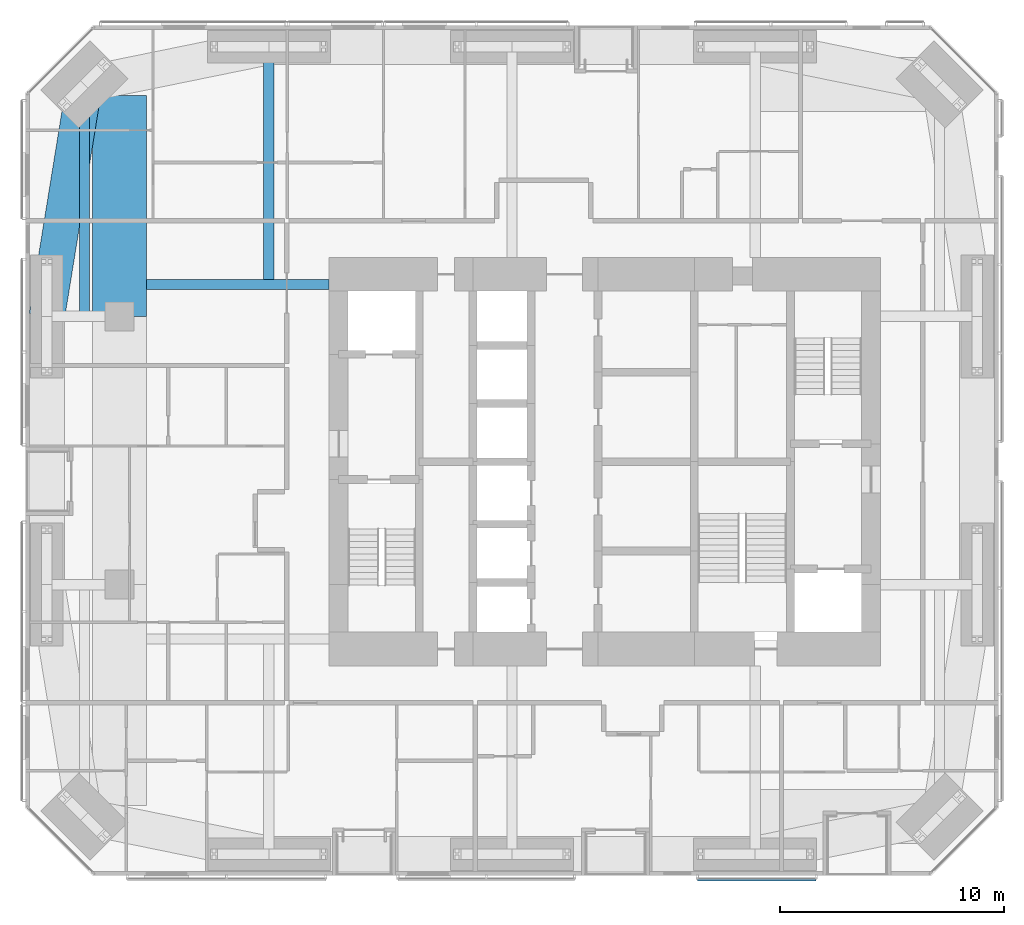
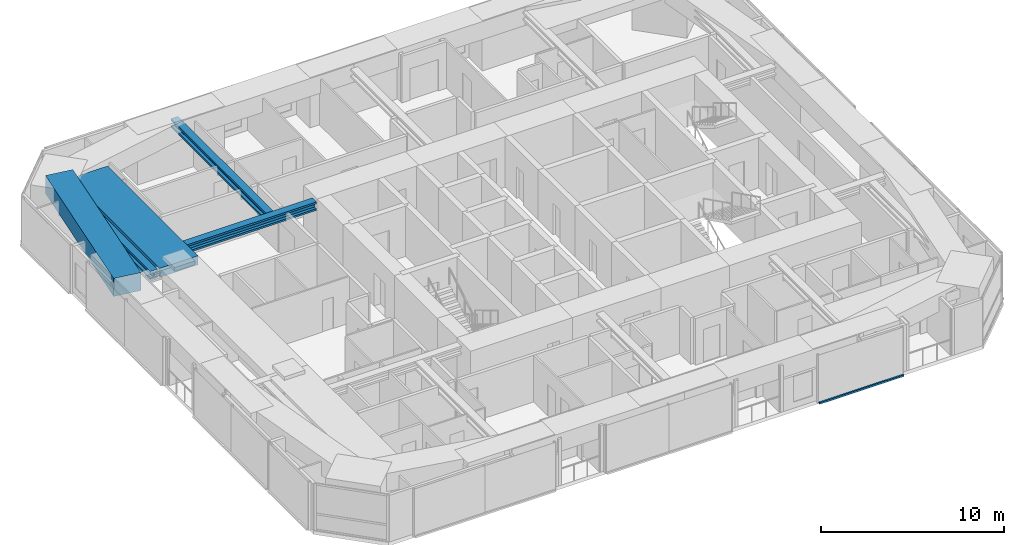
# One storey, part 7 of 23: 5 beams, 1 member, 1 element without a shape of its own.
"""IFC4 building model written with IfcOpenShell, lengths in metres."""

import ifcopenshell
import ifcopenshell.guid

model = None  # the IFC model being written
_history = None  # IfcOwnerHistory: only IFC2X3 demands one
_inside = {}  # id of a spatial element -> (the spatial element, [elements in it])
_under = {}  # id of a project, library or spatial element -> (it, [spatial elements below it])
_declared = {}  # id of a project -> (the project, [libraries it declares])
_typed = {}  # id of a type object -> (the type object, [elements of that type])
_made_of = {}  # id of a material, layer set ... -> (it, [elements and type objects made of it])


def new_model(schema):
    """Start an empty IFC model of exactly this schema.

    Asked for "IFC4X3", IfcOpenShell would pick the latest addendum, in which some entities
    have other attributes; the version numbers below select the first issue.
    IFC2X3 requires an IfcOwnerHistory on every rooted entity: one is made here for all.
    """
    global model, _history
    if schema == "IFC4X3":
        model = ifcopenshell.file(schema_version=(4, 3, 0, 0))
    else:
        model = ifcopenshell.file(schema=schema)
    _inside.clear()
    _under.clear()
    _declared.clear()
    _typed.clear()
    _made_of.clear()
    _history = None
    if model.schema == "IFC2X3":
        org = make("IfcOrganization", Name="unknown")
        user = make(
            "IfcPersonAndOrganization",
            ThePerson=make("IfcPerson", FamilyName="unknown"),
            TheOrganization=org,
        )
        app = make(
            "IfcApplication",
            ApplicationDeveloper=org,
            Version="unknown",
            ApplicationFullName="unknown",
            ApplicationIdentifier="unknown",
        )
        _history = make(
            "IfcOwnerHistory",
            OwningUser=user,
            OwningApplication=app,
            ChangeAction="ADDED",
            CreationDate=0,
        )
    return model


def make(cls, **values):
    """One entity of the class cls with the attributes given. An attribute that is None is left unset."""
    return model.create_entity(
        cls, **{name: value for name, value in values.items() if value is not None}
    )


def rooted(cls, **values):
    """An entity with a GlobalId (a new one), such as an element, a storey or a relation."""
    return make(cls, GlobalId=ifcopenshell.guid.new(), OwnerHistory=_history, **values)


def si_unit(unit_type, name, prefix=None):
    """IfcSIUnit, for example si_unit("LENGTHUNIT", "METRE", prefix="MILLI")."""
    return make("IfcSIUnit", UnitType=unit_type, Prefix=prefix, Name=name)


def assignment(units):
    """IfcUnitAssignment: the units of a project."""
    return None if units is None else make("IfcUnitAssignment", Units=units)


def point(xyz):
    """IfcCartesianPoint."""
    return None if xyz is None else make("IfcCartesianPoint", Coordinates=xyz)


def direction(xyz):
    """IfcDirection."""
    return None if xyz is None else make("IfcDirection", DirectionRatios=xyz)


def frame(location, z_axis=None, x_axis=None):
    """IfcAxis2Placement3D, a coordinate frame: its origin and axes. An axis left out is left unset."""
    return make(
        "IfcAxis2Placement3D",
        Location=point(location),
        Axis=direction(z_axis),
        RefDirection=direction(x_axis),
    )


def frame_2d(location, x_axis=None):
    """IfcAxis2Placement2D, a coordinate frame in the plane: its origin and x axis."""
    return make(
        "IfcAxis2Placement2D", Location=point(location), RefDirection=direction(x_axis)
    )


def origin():
    """The frame at (0, 0, 0) with its axes left unset."""
    return frame((0.0, 0.0, 0.0))


def origin_2d():
    """The frame at (0, 0) in the plane with its x axis left unset."""
    return frame_2d((0.0, 0.0))


def place(relative_to, where):
    """IfcLocalPlacement: puts the frame where relative to a parent placement (None: the world)."""
    return make(
        "IfcLocalPlacement", PlacementRelTo=relative_to, RelativePlacement=where
    )


def context(
    kind, dimensions, precision=None, world=None, true_north=None, identifier=None
):
    """IfcGeometricRepresentationContext, for example the 3D "Model" context."""
    return make(
        "IfcGeometricRepresentationContext",
        ContextIdentifier=identifier,
        ContextType=kind,
        CoordinateSpaceDimension=dimensions,
        Precision=precision,
        WorldCoordinateSystem=world,
        TrueNorth=true_north,
    )


def subcontext(parent, identifier, kind, view, scale=None):
    """IfcGeometricRepresentationSubContext, for example "Body" below "Model"."""
    return make(
        "IfcGeometricRepresentationSubContext",
        ContextIdentifier=identifier,
        ContextType=kind,
        ParentContext=parent,
        TargetScale=scale,
        TargetView=view,
    )


def project(units=None, contexts=None):
    """IfcProject with its units and contexts."""
    return rooted(
        "IfcProject",
        Name="project",
        RepresentationContexts=contexts,
        UnitsInContext=assignment(units),
    )


def spatial(cls, under=None, at=None, **own):
    """A site, building, storey or space (cls), placed at a placement, below another one or the project."""
    s = rooted(cls, ObjectPlacement=at, **own)
    if under is not None:
        _under.setdefault(under.id(), (under, []))[1].append(s)
    return s


def profile(cls, at=None, kind="AREA", **sizes):
    """A parametric profile (cls). Its sizes go by their IFC names, for example OverallWidth=200.0."""
    return make(cls, ProfileType=kind, Position=at, **sizes)


def rectangle(**sizes):
    """IfcRectangleProfileDef."""
    return profile("IfcRectangleProfileDef", **sizes)


def i_section(**sizes):
    """IfcIShapeProfileDef."""
    return profile("IfcIShapeProfileDef", **sizes)


def extrude(swept, where, along, depth):
    """IfcExtrudedAreaSolid: the profile swept, set in the frame where, extruded along a direction by depth."""
    return make(
        "IfcExtrudedAreaSolid",
        SweptArea=swept,
        Position=where,
        ExtrudedDirection=direction(along),
        Depth=depth,
    )


def shape(context_of_items, identifier, shape_type, items):
    """IfcShapeRepresentation: the items that make up one representation, for example the "Body"."""
    return make(
        "IfcShapeRepresentation",
        ContextOfItems=context_of_items,
        RepresentationIdentifier=identifier,
        RepresentationType=shape_type,
        Items=items,
    )


def material(Name=None, Category=None):
    """IfcMaterial."""
    return make("IfcMaterial", Name=Name, Category=Category)


def material_profile(
    of_material, cross_section, Name=None, Category=None, Priority=None
):
    """IfcMaterialProfile: a cross section and its material."""
    return make(
        "IfcMaterialProfile",
        Name=Name,
        Material=of_material,
        Profile=cross_section,
        Priority=Priority,
        Category=Category,
    )


def profile_set(profiles, Name=None, composite=None):
    """IfcMaterialProfileSet."""
    return make(
        "IfcMaterialProfileSet",
        Name=Name,
        MaterialProfiles=profiles,
        CompositeProfile=composite,
    )


def made_of(thing, what):
    """Note that an element or type object is made of a material, layer set ...; save() writes the relation."""
    if what is not None:
        _made_of.setdefault(what.id(), (what, []))[1].append(thing)
    return thing


def type_object(cls, material=None, **own):
    """A type object (cls), such as IfcWallType, which elements share."""
    return made_of(rooted(cls, **own), material)


def element(
    cls,
    number,
    at=None,
    inside=None,
    cuts=None,
    type_object=None,
    material=None,
    context=None,
    identifier="Body",
    shape_type=None,
    held_by="IfcProductDefinitionShape",
    body=None,
    shapes=None,
    **own,
):
    """One element of the class cls, such as IfcWall. Its Tag is "e" and its number.

    at: its placement. inside: the storey or other place that contains it. cuts: it is an
    opening in that element (IfcRelVoidsElement). A single representation is given by context,
    identifier, shape_type and body (its items); several are given by shapes. held_by: the class
    of the entity that holds the representations. save() writes the other relations.
    """
    e = rooted(cls, Tag="e%d" % number, ObjectPlacement=at, **own)
    if body is not None:
        shapes = [shape(context, identifier, shape_type, body)]
    if shapes is not None:
        e.Representation = make(held_by, Representations=shapes)
    if inside is not None:
        _inside.setdefault(inside.id(), (inside, []))[1].append(e)
    if cuts is not None:
        rooted(
            "IfcRelVoidsElement", RelatingBuildingElement=cuts, RelatedOpeningElement=e
        )
    if type_object is not None:
        _typed.setdefault(type_object.id(), (type_object, []))[1].append(e)
    return made_of(e, material)


def aggregate(whole, parts):
    """IfcRelAggregates: a whole, such as a stair, and the parts it consists of."""
    return rooted("IfcRelAggregates", RelatingObject=whole, RelatedObjects=parts)


def save(model, path):
    """Write the relations noted so far, then the file.

    IfcRelAggregates (storeys below a building ...), IfcRelContainedInSpatialStructure (elements
    in a storey), IfcRelDefinesByType, IfcRelAssociatesMaterial and IfcRelDeclares: one each for
    every whole, place, type object, material and project.
    """
    for whole, parts in _under.values():
        aggregate(whole, parts)
    for where, things in _inside.values():
        rooted(
            "IfcRelContainedInSpatialStructure",
            RelatedElements=things,
            RelatingStructure=where,
        )
    for kind, things in _typed.values():
        rooted("IfcRelDefinesByType", RelatedObjects=things, RelatingType=kind)
    for what, things in _made_of.values():
        rooted("IfcRelAssociatesMaterial", RelatedObjects=things, RelatingMaterial=what)
    for by, libraries in _declared.values():
        rooted("IfcRelDeclares", RelatingContext=by, RelatedDefinitions=libraries)
    model.write(path)


model = new_model("IFC4")

# Units and contexts
model_context = context("Model", 3, precision=1e-05, world=origin(), true_north=direction((0.0, 1.0)))
body_context = subcontext(model_context, "Body", "Model", "MODEL_VIEW")
ifc_project = project(units=[si_unit("LENGTHUNIT", "METRE"), si_unit("AREAUNIT", "SQUARE_METRE"), si_unit("VOLUMEUNIT", "CUBIC_METRE"), si_unit("PLANEANGLEUNIT", "RADIAN"), si_unit("MASSUNIT", "GRAM", prefix="KILO")], contexts=[model_context])

# Site, building, storey
site_placement = place(None, origin())
site = spatial("IfcSite", under=ifc_project, at=site_placement, CompositionType="ELEMENT")
building_placement = place(site_placement, origin())
building = spatial("IfcBuilding", under=site, at=building_placement, Name="Jalousie Tower", CompositionType="ELEMENT")
storey_placement = place(building_placement, frame((0.0, 0.0, 108.199951171875)))
storey = spatial("IfcBuildingStorey", under=building, at=storey_placement, Name="L29", CompositionType="ELEMENT", Elevation=108.199951171875)

# Beams
ifc_material_1 = material(Name="Steel ASTM A992 Grade 50", Category="steel")
ifc_material_profile_1 = material_profile(ifc_material_1, i_section(OverallWidth=0.45458984375, OverallDepth=0.569091796875, WebThickness=0.077880859375, FlangeThickness=0.124755859375, at=origin_2d()), Name="W14X730")
ifc_profile_set_1 = profile_set([ifc_material_profile_1], Name="Steel ASTM A992 Grade 50")
beam_type_1 = type_object("IfcBeamType", Name="LEAN COLLECTOR W14X730", PredefinedType="BEAM", material=ifc_profile_set_1)
beam_1_placement = place(storey_placement, frame((11.39990234375, 26.425048828125, 2.825439453125), z_axis=(1.0, 0.0, 0.0), x_axis=(0.0, 1.0, 0.0)))
element("IfcBeam", 1, at=beam_1_placement, inside=storey, type_object=beam_type_1, Name="Lean collector under L30", PredefinedType="BEAM", context=body_context, shape_type="SweptSolid", body=[
    extrude(i_section(OverallWidth=0.45458984375, OverallDepth=0.569091796875, WebThickness=0.077880859375, FlangeThickness=0.124755859375, at=origin_2d()), origin(), (0.0, 0.0, 1.0), 8.175048828125),
])
beam_2_placement = place(storey_placement, frame((8.63134765625, 35.36865234375, 2.825439453125), z_axis=(0.0, -1.0, 0.0), x_axis=(1.0, 0.0, 0.0)))
element("IfcBeam", 2, at=beam_2_placement, inside=storey, type_object=beam_type_1, Name="Lean collector under L30", PredefinedType="BEAM", context=body_context, shape_type="SweptSolid", body=[
    extrude(i_section(OverallWidth=0.45458984375, OverallDepth=0.569091796875, WebThickness=0.077880859375, FlangeThickness=0.124755859375, at=origin_2d()), origin(), (0.0, 0.0, 1.0), 10.36865234375),
])
beam_3_placement = place(storey_placement, frame((16.875, 37.050048828125, 2.825439453125), z_axis=(0.0, -1.0, 0.0), x_axis=(1.0, 0.0, 0.0)))
element("IfcBeam", 3, at=beam_3_placement, inside=storey, type_object=beam_type_1, Name="Lean collector under L30", PredefinedType="BEAM", context=body_context, shape_type="SweptSolid", body=[
    extrude(i_section(OverallWidth=0.45458984375, OverallDepth=0.569091796875, WebThickness=0.077880859375, FlangeThickness=0.124755859375, at=origin_2d()), origin(), (0.0, 0.0, 1.0), 10.625),
])
ifc_material_2 = material(Name="Concrete f'c 40 MPa", Category="concrete")
ifc_material_profile_2 = material_profile(ifc_material_2, rectangle(XDim=1.60009765625, YDim=1.199951171875, at=origin_2d()), Name="RC 1600x1200")
ifc_profile_set_2 = profile_set([ifc_material_profile_2], Name="Concrete f'c 40 MPa")
beam_type_2 = type_object("IfcBeamType", Name="RC BEAM 1600x1200", PredefinedType="BEAM", material=ifc_profile_set_2)
beam_4_placement = place(storey_placement, frame((8.63134765625, 35.36865234375, 2.75), z_axis=(-0.160070546476, -0.987105577003, 0.0), x_axis=(0.987105577003, -0.160070546476, 0.0)))
element("IfcBeam", 4, at=beam_4_placement, inside=storey, type_object=beam_type_2, Name="Edge band beam 12-13 under L30", PredefinedType="BEAM", context=body_context, shape_type="SweptSolid", body=[
    extrude(rectangle(XDim=1.60009765625, YDim=1.199951171875, at=origin_2d()), origin(), (0.0, 0.0, 1.0), 10.504150390625),
])
ifc_material_3 = material(Name="Concrete f'c 40 MPa", Category="concrete")
ifc_material_profile_3 = material_profile(ifc_material_3, rectangle(XDim=2.39990234375, YDim=0.60009765625, at=origin_2d()), Name="RC 2400x600")
ifc_profile_set_3 = profile_set([ifc_material_profile_3], Name="Concrete f'c 40 MPa")
beam_type_3 = type_object("IfcBeamType", Name="RC BEAM 2400x600", PredefinedType="BEAM", material=ifc_profile_set_3)
beam_5_placement = place(storey_placement, frame((10.199951171875, 25.0, 2.81005859375), z_axis=(0.0, 1.0, 0.0), x_axis=(-1.0, 0.0, 0.0)))
element("IfcBeam", 5, at=beam_5_placement, inside=storey, type_object=beam_type_3, Name="Floor band beam under L30", PredefinedType="BEAM", context=body_context, shape_type="SweptSolid", body=[
    extrude(rectangle(XDim=2.39990234375, YDim=0.60009765625, at=origin_2d()), origin(), (0.0, 0.0, 1.0), 9.8720703125),
])

# Curtain wall, member
ifc_material_4 = material(Name="Perforated aluminium sheet", Category="aluminium")
curtain_wall_type = type_object("IfcCurtainWallType", Name="SOLAR SCREEN SS-1", PredefinedType="USERDEFINED", material=ifc_material_4)
curtain_wall_placement = place(storey_placement, origin())
curtain_wall = element("IfcCurtainWall", 6, at=curtain_wall_placement, inside=storey, type_object=curtain_wall_type, Name="Solar screen L29", ObjectType="SOLAR SCREEN SS-1", PredefinedType="USERDEFINED")
ifc_material_5 = material(Name="Extruded aluminium screen rail", Category="aluminium")
ifc_material_profile_4 = material_profile(ifc_material_5, rectangle(XDim=0.1015625, YDim=0.1201171875, at=origin_2d()), Name="RAIL 102x120")
ifc_profile_set_4 = profile_set([ifc_material_profile_4], Name="Extruded aluminium screen rail")
member_type = type_object("IfcMemberType", Name="SOLAR SCREEN SS-1 TRANSOM", PredefinedType="USERDEFINED", material=ifc_profile_set_4)
member_placement = place(storey_placement, frame((36.0400390625, -0.1982421875, -0.06005859375), z_axis=(1.0, 0.0, 0.0), x_axis=(0.0, 1.0, 0.0)))
member = element("IfcMember", 7, at=member_placement, type_object=member_type, Name="SS1 rail", ObjectType="TRANSOM", PredefinedType="USERDEFINED", context=body_context, shape_type="SweptSolid", body=[
    extrude(rectangle(XDim=0.1015625, YDim=0.1201171875, at=origin_2d()), origin(), (0.0, 0.0, 1.0), 5.31005859375),
])
aggregate(curtain_wall, [member])

save(model, "model.ifc")
